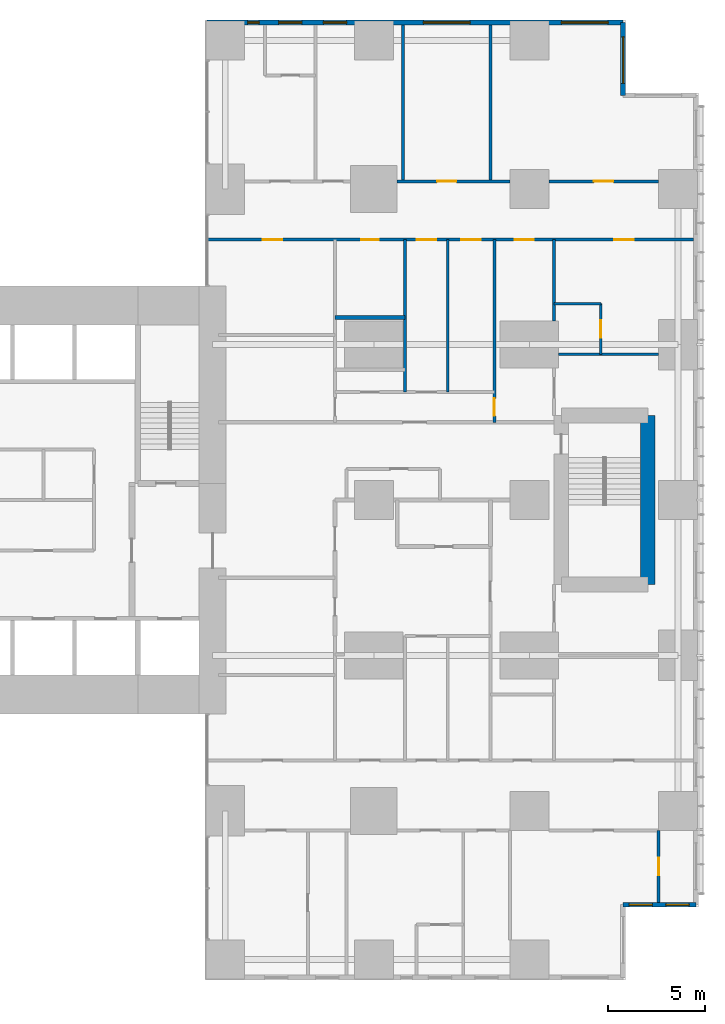
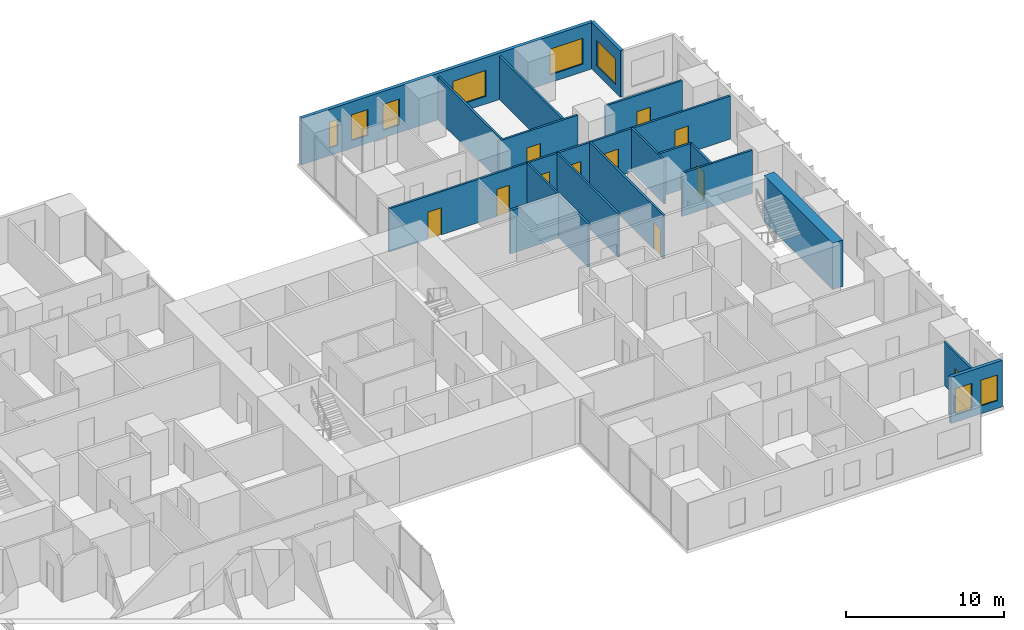
# One storey, part 18 of 20: 18 walls, 11 doors, 8 windows, 19 openings.
"""IFC4 building model written with IfcOpenShell, lengths in metres."""

from ifc_helpers import new_model, si_unit, direction, frame, frame_2d, origin, place, context, subcontext, project, spatial, rectangle, extrude, material, layer, layer_set, type_object, element, fill, save


model = new_model("IFC4")

# Units and contexts
model_context = context("Model", 3, precision=1e-05, world=origin(), true_north=direction((0.0, 1.0)))
body_context = subcontext(model_context, "Body", "Model", "MODEL_VIEW")
ifc_project = project(units=[si_unit("LENGTHUNIT", "METRE"), si_unit("AREAUNIT", "SQUARE_METRE"), si_unit("VOLUMEUNIT", "CUBIC_METRE"), si_unit("PLANEANGLEUNIT", "RADIAN"), si_unit("MASSUNIT", "GRAM", prefix="KILO")], contexts=[model_context])

# Site, building, storey
site_placement = place(None, origin())
site = spatial("IfcSite", under=ifc_project, at=site_placement, CompositionType="ELEMENT")
building_placement = place(site_placement, origin())
building = spatial("IfcBuilding", under=site, at=building_placement, Name="Cleftline Residences", CompositionType="ELEMENT")
storey_placement = place(building_placement, frame((0.0, 0.0, 76.39990234375)))
storey = spatial("IfcBuildingStorey", under=building, at=storey_placement, Name="L19", CompositionType="ELEMENT", Elevation=76.39990234375)

# Wall, openings, windows
ifc_material_1 = material(Name="Rendered reinforced concrete blockwork", Category="masonry")
ifc_layer_1 = layer(ifc_material_1, 0.25)
ifc_layer_set_1 = layer_set([ifc_layer_1], Name="EXTERNAL WALL 250")
wall_type_1 = type_object("IfcWallType", Name="EXTERNAL WALL 250", PredefinedType="SOLIDWALL", material=ifc_layer_set_1)
wall_1_placement = place(storey_placement, frame((62.824951171875, 3.175048828125, 0.0), z_axis=(0.0, 0.0, 1.0), x_axis=(1.0, 0.0, 0.0)))
wall_1 = element("IfcWall", 1, at=wall_1_placement, inside=storey, type_object=wall_type_1, Name="External wall", PredefinedType="SOLIDWALL", context=body_context, shape_type="SweptSolid", body=[
    extrude(rectangle(XDim=3.75, YDim=0.25, at=frame_2d((1.875, 0.0))), origin(), (0.0, 0.0, 1.0), 3.60009765625),
])
opening_1_placement = place(wall_1_placement, frame((0.3125, 0.0, 0.60009765625)))
opening_1 = element("IfcOpeningElement", 2, at=opening_1_placement, cuts=wall_1, Name="Opening W8", PredefinedType="OPENING", context=body_context, shape_type="SweptSolid", body=[
    extrude(rectangle(XDim=1.199951171875, YDim=2.0, at=frame_2d((0.60009765625, 1.0))), frame((0.0, 0.135009765625, 0.0), z_axis=(0.0, -1.0, 0.0), x_axis=(1.0, 0.0, 0.0)), (0.0, 0.0, 1.0), 0.27001953125),
])
opening_2_placement = place(wall_1_placement, frame((2.199951171875, 0.0, 0.60009765625)))
opening_2 = element("IfcOpeningElement", 3, at=opening_2_placement, cuts=wall_1, Name="Opening W8", PredefinedType="OPENING", context=body_context, shape_type="SweptSolid", body=[
    extrude(rectangle(XDim=1.199951171875, YDim=2.0, at=frame_2d((0.60009765625, 1.0))), frame((0.0, 0.135009765625, 0.0), z_axis=(0.0, -1.0, 0.0), x_axis=(1.0, 0.0, 0.0)), (0.0, 0.0, 1.0), 0.27001953125),
])
ifc_material_2 = material(Name="Aluminium frame, clear double glazing", Category="aluminium")
window_type_1 = type_object("IfcWindowType", Name="WINDOW 1200X2000", PartitioningType="DOUBLE_PANEL_VERTICAL", PredefinedType="WINDOW", material=ifc_material_2)
window_1_placement = place(opening_1_placement, origin())
window_1 = element("IfcWindow", 4, at=window_1_placement, inside=storey, type_object=window_type_1, Name="Window", OverallHeight=2.0, OverallWidth=1.199951171875, PartitioningType="SINGLE_PANEL", PredefinedType="WINDOW", context=body_context, shape_type="SweptSolid", body=[
    extrude(rectangle(XDim=1.199951171875, YDim=2.0, at=frame_2d((0.60009765625, 1.0))), frame((0.0, 0.030029296875, 0.0), z_axis=(0.0, -1.0, 0.0), x_axis=(1.0, 0.0, 0.0)), (0.0, 0.0, 1.0), 0.06005859375),
])
fill(opening_1, window_1)
window_2_placement = place(opening_2_placement, origin())
window_2 = element("IfcWindow", 5, at=window_2_placement, inside=storey, type_object=window_type_1, Name="Window", OverallHeight=2.0, OverallWidth=1.199951171875, PartitioningType="SINGLE_PANEL", PredefinedType="WINDOW", context=body_context, shape_type="SweptSolid", body=[
    extrude(rectangle(XDim=1.199951171875, YDim=2.0, at=frame_2d((0.60009765625, 1.0))), frame((0.0, 0.030029296875, 0.0), z_axis=(0.0, -1.0, 0.0), x_axis=(1.0, 0.0, 0.0)), (0.0, 0.0, 1.0), 0.06005859375),
])
fill(opening_2, window_2)

# Wall, opening, window
wall_2_placement = place(storey_placement, frame((62.824951171875, 44.824951171875, 0.0), z_axis=(0.0, 0.0, 1.0), x_axis=(0.0, 1.0, 0.0)))
wall_2 = element("IfcWall", 6, at=wall_2_placement, inside=storey, type_object=wall_type_1, Name="External wall", PredefinedType="SOLIDWALL", context=body_context, shape_type="SweptSolid", body=[
    extrude(rectangle(XDim=3.75, YDim=0.25, at=frame_2d((1.875, 0.0))), origin(), (0.0, 0.0, 1.0), 3.60009765625),
])
opening_3_placement = place(wall_2_placement, frame((0.612548828125, 0.0, 0.60009765625)))
opening_3 = element("IfcOpeningElement", 7, at=opening_3_placement, cuts=wall_2, Name="Opening W6", PredefinedType="OPENING", context=body_context, shape_type="SweptSolid", body=[
    extrude(rectangle(XDim=2.39990234375, YDim=2.0, at=frame_2d((1.199951171875, 1.0))), frame((0.0, 0.135009765625, 0.0), z_axis=(0.0, -1.0, 0.0), x_axis=(1.0, 0.0, 0.0)), (0.0, 0.0, 1.0), 0.27001953125),
])
ifc_material_3 = material(Name="Aluminium frame, clear double glazing", Category="aluminium")
window_type_2 = type_object("IfcWindowType", Name="WINDOW 2400X2000", PartitioningType="DOUBLE_PANEL_VERTICAL", PredefinedType="WINDOW", material=ifc_material_3)
window_3_placement = place(opening_3_placement, origin())
window_3 = element("IfcWindow", 8, at=window_3_placement, inside=storey, type_object=window_type_2, Name="Window", OverallHeight=2.0, OverallWidth=2.39990234375, PartitioningType="SINGLE_PANEL", PredefinedType="WINDOW", context=body_context, shape_type="SweptSolid", body=[
    extrude(rectangle(XDim=2.39990234375, YDim=2.0, at=frame_2d((1.199951171875, 1.0))), frame((0.0, 0.030029296875, 0.0), z_axis=(0.0, -1.0, 0.0), x_axis=(1.0, 0.0, 0.0)), (0.0, 0.0, 1.0), 0.06005859375),
])
fill(opening_3, window_3)

# Wall, openings, windows
wall_3_placement = place(storey_placement, frame((62.824951171875, 48.574951171875, 0.0), z_axis=(0.0, 0.0, 1.0), x_axis=(-1.0, 0.0, 0.0)))
wall_3 = element("IfcWall", 9, at=wall_3_placement, inside=storey, type_object=wall_type_1, Name="External wall", PredefinedType="SOLIDWALL", context=body_context, shape_type="SweptSolid", body=[
    extrude(rectangle(XDim=21.39990234375, YDim=0.25, at=frame_2d((10.699951171875, 0.0))), origin(), (0.0, 0.0, 1.0), 3.60009765625),
])
opening_4_placement = place(wall_3_placement, frame((0.77490234375, 0.0, 0.60009765625)))
opening_4 = element("IfcOpeningElement", 10, at=opening_4_placement, cuts=wall_3, Name="Opening W6", PredefinedType="OPENING", context=body_context, shape_type="SweptSolid", body=[
    extrude(rectangle(XDim=2.39990234375, YDim=2.0, at=frame_2d((1.199951171875, 1.0))), frame((0.0, 0.135009765625, 0.0), z_axis=(0.0, -1.0, 0.0), x_axis=(1.0, 0.0, 0.0)), (0.0, 0.0, 1.0), 0.27001953125),
])
opening_5_placement = place(wall_3_placement, frame((7.875, 0.0, 0.60009765625)))
opening_5 = element("IfcOpeningElement", 11, at=opening_5_placement, cuts=wall_3, Name="Opening W6", PredefinedType="OPENING", context=body_context, shape_type="SweptSolid", body=[
    extrude(rectangle(XDim=2.39990234375, YDim=2.0, at=frame_2d((1.199951171875, 1.0))), frame((0.0, 0.135009765625, 0.0), z_axis=(0.0, -1.0, 0.0), x_axis=(1.0, 0.0, 0.0)), (0.0, 0.0, 1.0), 0.27001953125),
])
opening_6_placement = place(wall_3_placement, frame((14.22509765625, 0.0, 0.60009765625)))
opening_6 = element("IfcOpeningElement", 12, at=opening_6_placement, cuts=wall_3, Name="Opening W8", PredefinedType="OPENING", context=body_context, shape_type="SweptSolid", body=[
    extrude(rectangle(XDim=1.199951171875, YDim=2.0, at=frame_2d((0.60009765625, 1.0))), frame((0.0, 0.135009765625, 0.0), z_axis=(0.0, -1.0, 0.0), x_axis=(1.0, 0.0, 0.0)), (0.0, 0.0, 1.0), 0.27001953125),
])
opening_7_placement = place(wall_3_placement, frame((16.52490234375, 0.0, 0.60009765625)))
opening_7 = element("IfcOpeningElement", 13, at=opening_7_placement, cuts=wall_3, Name="Opening W8", PredefinedType="OPENING", context=body_context, shape_type="SweptSolid", body=[
    extrude(rectangle(XDim=1.199951171875, YDim=2.0, at=frame_2d((0.60009765625, 1.0))), frame((0.0, 0.135009765625, 0.0), z_axis=(0.0, -1.0, 0.0), x_axis=(1.0, 0.0, 0.0)), (0.0, 0.0, 1.0), 0.27001953125),
])
opening_8_placement = place(wall_3_placement, frame((18.72509765625, 0.0, 0.60009765625)))
opening_8 = element("IfcOpeningElement", 14, at=opening_8_placement, cuts=wall_3, Name="Opening W7", PredefinedType="OPENING", context=body_context, shape_type="SweptSolid", body=[
    extrude(rectangle(XDim=0.60009765625, YDim=2.0, at=frame_2d((0.300048828125, 1.0))), frame((0.0, 0.135009765625, 0.0), z_axis=(0.0, -1.0, 0.0), x_axis=(1.0, 0.0, 0.0)), (0.0, 0.0, 1.0), 0.27001953125),
])
window_4_placement = place(opening_6_placement, origin())
window_4 = element("IfcWindow", 15, at=window_4_placement, inside=storey, type_object=window_type_1, Name="Window", OverallHeight=2.0, OverallWidth=1.199951171875, PartitioningType="SINGLE_PANEL", PredefinedType="WINDOW", context=body_context, shape_type="SweptSolid", body=[
    extrude(rectangle(XDim=1.199951171875, YDim=2.0, at=frame_2d((0.60009765625, 1.0))), frame((0.0, 0.030029296875, 0.0), z_axis=(0.0, -1.0, 0.0), x_axis=(1.0, 0.0, 0.0)), (0.0, 0.0, 1.0), 0.06005859375),
])
fill(opening_6, window_4)
window_5_placement = place(opening_7_placement, origin())
window_5 = element("IfcWindow", 16, at=window_5_placement, inside=storey, type_object=window_type_1, Name="Window", OverallHeight=2.0, OverallWidth=1.199951171875, PartitioningType="SINGLE_PANEL", PredefinedType="WINDOW", context=body_context, shape_type="SweptSolid", body=[
    extrude(rectangle(XDim=1.199951171875, YDim=2.0, at=frame_2d((0.60009765625, 1.0))), frame((0.0, 0.030029296875, 0.0), z_axis=(0.0, -1.0, 0.0), x_axis=(1.0, 0.0, 0.0)), (0.0, 0.0, 1.0), 0.06005859375),
])
fill(opening_7, window_5)
window_6_placement = place(opening_4_placement, origin())
window_6 = element("IfcWindow", 17, at=window_6_placement, inside=storey, type_object=window_type_2, Name="Window", OverallHeight=2.0, OverallWidth=2.39990234375, PartitioningType="SINGLE_PANEL", PredefinedType="WINDOW", context=body_context, shape_type="SweptSolid", body=[
    extrude(rectangle(XDim=2.39990234375, YDim=2.0, at=frame_2d((1.199951171875, 1.0))), frame((0.0, 0.030029296875, 0.0), z_axis=(0.0, -1.0, 0.0), x_axis=(1.0, 0.0, 0.0)), (0.0, 0.0, 1.0), 0.06005859375),
])
fill(opening_4, window_6)
window_7_placement = place(opening_5_placement, origin())
window_7 = element("IfcWindow", 18, at=window_7_placement, inside=storey, type_object=window_type_2, Name="Window", OverallHeight=2.0, OverallWidth=2.39990234375, PartitioningType="SINGLE_PANEL", PredefinedType="WINDOW", context=body_context, shape_type="SweptSolid", body=[
    extrude(rectangle(XDim=2.39990234375, YDim=2.0, at=frame_2d((1.199951171875, 1.0))), frame((0.0, 0.030029296875, 0.0), z_axis=(0.0, -1.0, 0.0), x_axis=(1.0, 0.0, 0.0)), (0.0, 0.0, 1.0), 0.06005859375),
])
fill(opening_5, window_7)
ifc_material_4 = material(Name="Aluminium frame, clear double glazing", Category="aluminium")
window_type_3 = type_object("IfcWindowType", Name="WINDOW 600X2000", PartitioningType="DOUBLE_PANEL_VERTICAL", PredefinedType="WINDOW", material=ifc_material_4)
window_8_placement = place(opening_8_placement, origin())
window_8 = element("IfcWindow", 19, at=window_8_placement, inside=storey, type_object=window_type_3, Name="Window", OverallHeight=2.0, OverallWidth=0.60009765625, PartitioningType="SINGLE_PANEL", PredefinedType="WINDOW", context=body_context, shape_type="SweptSolid", body=[
    extrude(rectangle(XDim=0.60009765625, YDim=2.0, at=frame_2d((0.300048828125, 1.0))), frame((0.0, 0.030029296875, 0.0), z_axis=(0.0, -1.0, 0.0), x_axis=(1.0, 0.0, 0.0)), (0.0, 0.0, 1.0), 0.06005859375),
])
fill(opening_8, window_8)

# Walls
ifc_material_5 = material(Name="Concrete blockwork, fire rated", Category="masonry")
ifc_layer_2 = layer(ifc_material_5, 0.199951171875)
ifc_layer_set_2 = layer_set([ifc_layer_2], Name="FIRE WALL 200")
wall_type_2 = type_object("IfcWallType", Name="FIRE WALL 200", PredefinedType="PARTITIONING", material=ifc_layer_set_2)
wall_4_placement = place(storey_placement, frame((48.0, 33.39990234375, 0.0), z_axis=(0.0, 0.0, 1.0), x_axis=(1.0, 0.0, 0.0)))
element("IfcWall", 20, at=wall_4_placement, inside=storey, type_object=wall_type_2, Name="Fire separating wall", PredefinedType="PARTITIONING", context=body_context, shape_type="SweptSolid", body=[
    extrude(rectangle(XDim=3.60009765625, YDim=0.199951171875, at=frame_2d((1.800048828125, 0.0))), origin(), (0.0, 0.0, 1.0), 3.35009765625),
])
ifc_material_6 = material(Name="Gypsum board on steel studs", Category="steel")
ifc_layer_3 = layer(ifc_material_6, 0.14990234375)
ifc_layer_set_3 = layer_set([ifc_layer_3], Name="PARTITION 150")
wall_type_3 = type_object("IfcWallType", Name="PARTITION 150", PredefinedType="PARTITIONING", material=ifc_layer_set_3)
wall_5_placement = place(storey_placement, frame((59.5, 31.5, 0.0), z_axis=(0.0, 0.0, 1.0), x_axis=(1.0, 0.0, 0.0)))
element("IfcWall", 21, at=wall_5_placement, inside=storey, type_object=wall_type_3, Name="Partition", PredefinedType="PARTITIONING", context=body_context, shape_type="SweptSolid", body=[
    extrude(rectangle(XDim=5.14990234375, YDim=0.14990234375, at=frame_2d((2.574951171875, 0.0))), origin(), (0.0, 0.0, 1.0), 3.35009765625),
])
wall_6_placement = place(storey_placement, frame((59.27490234375, 34.10009765625, 0.0), z_axis=(0.0, 0.0, 1.0), x_axis=(1.0, 0.0, 0.0)))
element("IfcWall", 22, at=wall_6_placement, inside=storey, type_object=wall_type_3, Name="Partition", PredefinedType="PARTITIONING", context=body_context, shape_type="SweptSolid", body=[
    extrude(rectangle(XDim=2.400146484375, YDim=0.14990234375, at=frame_2d((1.2001953125, 0.0))), origin(), (0.0, 0.0, 1.0), 3.35009765625),
])

# Wall, openings, doors
wall_7_placement = place(storey_placement, frame((41.43896484375, 37.39990234375, 0.0), z_axis=(0.0, 0.0, 1.0), x_axis=(1.0, 0.0, 0.0)))
wall_7 = element("IfcWall", 23, at=wall_7_placement, inside=storey, type_object=wall_type_3, Name="Partition", PredefinedType="PARTITIONING", context=body_context, shape_type="SweptSolid", body=[
    extrude(rectangle(XDim=25.010986328125, YDim=0.14990234375, at=frame_2d((12.50537109375, 0.0))), origin(), (0.0, 0.0, 1.0), 3.35009765625),
])
opening_9_placement = place(wall_7_placement, frame((10.760986328125, 0.0, 0.0)))
opening_9 = element("IfcOpeningElement", 24, at=opening_9_placement, cuts=wall_7, Name="Opening D2", PredefinedType="OPENING", context=body_context, shape_type="SweptSolid", body=[
    extrude(rectangle(XDim=1.0, YDim=2.10009765625, at=frame_2d((0.5, 1.050048828125))), frame((0.0, 0.0849609375, 0.0), z_axis=(0.0, -1.0, 0.0), x_axis=(1.0, 0.0, 0.0)), (0.0, 0.0, 1.0), 0.169921875),
])
opening_10_placement = place(wall_7_placement, frame((20.923583984375, 0.0, 0.0)))
opening_10 = element("IfcOpeningElement", 25, at=opening_10_placement, cuts=wall_7, Name="Opening D2", PredefinedType="OPENING", context=body_context, shape_type="SweptSolid", body=[
    extrude(rectangle(XDim=1.0, YDim=2.10009765625, at=frame_2d((0.5, 1.050048828125))), frame((0.0, 0.0849609375, 0.0), z_axis=(0.0, -1.0, 0.0), x_axis=(1.0, 0.0, 0.0)), (0.0, 0.0, 1.0), 0.169921875),
])
opening_11_placement = place(wall_7_placement, frame((15.798583984375, 0.0, 0.0)))
opening_11 = element("IfcOpeningElement", 26, at=opening_11_placement, cuts=wall_7, Name="Opening D2", PredefinedType="OPENING", context=body_context, shape_type="SweptSolid", body=[
    extrude(rectangle(XDim=1.0, YDim=2.10009765625, at=frame_2d((0.5, 1.050048828125))), frame((0.0, 0.0849609375, 0.0), z_axis=(0.0, -1.0, 0.0), x_axis=(1.0, 0.0, 0.0)), (0.0, 0.0, 1.0), 0.169921875),
])
opening_12_placement = place(wall_7_placement, frame((13.06103515625, 0.0, 0.0)))
opening_12 = element("IfcOpeningElement", 27, at=opening_12_placement, cuts=wall_7, Name="Opening D2", PredefinedType="OPENING", context=body_context, shape_type="SweptSolid", body=[
    extrude(rectangle(XDim=1.0, YDim=2.10009765625, at=frame_2d((0.5, 1.050048828125))), frame((0.0, 0.0849609375, 0.0), z_axis=(0.0, -1.0, 0.0), x_axis=(1.0, 0.0, 0.0)), (0.0, 0.0, 1.0), 0.169921875),
])
opening_13_placement = place(wall_7_placement, frame((7.910888671875, 0.0, 0.0)))
opening_13 = element("IfcOpeningElement", 28, at=opening_13_placement, cuts=wall_7, Name="Opening D1", PredefinedType="OPENING", context=body_context, shape_type="SweptSolid", body=[
    extrude(rectangle(XDim=0.89990234375, YDim=2.10009765625, at=frame_2d((0.449951171875, 1.050048828125))), frame((0.0, 0.0849609375, 0.0), z_axis=(0.0, -1.0, 0.0), x_axis=(1.0, 0.0, 0.0)), (0.0, 0.0, 1.0), 0.169921875),
])
opening_14_placement = place(wall_7_placement, frame((2.8359375, 0.0, 0.0)))
opening_14 = element("IfcOpeningElement", 29, at=opening_14_placement, cuts=wall_7, Name="Opening D2", PredefinedType="OPENING", context=body_context, shape_type="SweptSolid", body=[
    extrude(rectangle(XDim=1.0, YDim=2.10009765625, at=frame_2d((0.5, 1.050048828125))), frame((0.0, 0.0849609375, 0.0), z_axis=(0.0, -1.0, 0.0), x_axis=(1.0, 0.0, 0.0)), (0.0, 0.0, 1.0), 0.169921875),
])
ifc_material_7 = material(Name="Timber veneer on solid core", Category="wood")
door_type_1 = type_object("IfcDoorType", Name="DOOR 1000X2100", OperationType="SINGLE_SWING_LEFT", PredefinedType="DOOR", material=ifc_material_7)
door_1_placement = place(opening_9_placement, origin())
door_1 = element("IfcDoor", 30, at=door_1_placement, inside=storey, type_object=door_type_1, Name="Door to residence hall", OperationType="SINGLE_SWING_RIGHT", OverallHeight=2.10009765625, OverallWidth=1.0, PredefinedType="DOOR", context=body_context, shape_type="SweptSolid", body=[
    extrude(rectangle(XDim=1.0, YDim=2.10009765625, at=frame_2d((0.5, 1.050048828125))), frame((0.0, 0.02490234375, 0.0), z_axis=(0.0, -1.0, 0.0), x_axis=(1.0, 0.0, 0.0)), (0.0, 0.0, 1.0), 0.050048828125),
])
fill(opening_9, door_1)
door_2_placement = place(opening_10_placement, origin())
door_2 = element("IfcDoor", 31, at=door_2_placement, inside=storey, type_object=door_type_1, Name="Door to master bedroom", OperationType="SINGLE_SWING_LEFT", OverallHeight=2.10009765625, OverallWidth=1.0, PredefinedType="DOOR", context=body_context, shape_type="SweptSolid", body=[
    extrude(rectangle(XDim=1.0, YDim=2.10009765625, at=frame_2d((0.5, 1.050048828125))), frame((0.0, 0.02490234375, 0.0), z_axis=(0.0, -1.0, 0.0), x_axis=(1.0, 0.0, 0.0)), (0.0, 0.0, 1.0), 0.050048828125),
])
fill(opening_10, door_2)
door_3_placement = place(opening_11_placement, origin())
door_3 = element("IfcDoor", 32, at=door_3_placement, inside=storey, type_object=door_type_1, Name="Door to wet kitchen", OperationType="SINGLE_SWING_LEFT", OverallHeight=2.10009765625, OverallWidth=1.0, PredefinedType="DOOR", context=body_context, shape_type="SweptSolid", body=[
    extrude(rectangle(XDim=1.0, YDim=2.10009765625, at=frame_2d((0.5, 1.050048828125))), frame((0.0, 0.02490234375, 0.0), z_axis=(0.0, -1.0, 0.0), x_axis=(1.0, 0.0, 0.0)), (0.0, 0.0, 1.0), 0.050048828125),
])
fill(opening_11, door_3)
door_4_placement = place(opening_12_placement, origin())
door_4 = element("IfcDoor", 33, at=door_4_placement, inside=storey, type_object=door_type_1, Name="Door to media room", OperationType="SINGLE_SWING_LEFT", OverallHeight=2.10009765625, OverallWidth=1.0, PredefinedType="DOOR", context=body_context, shape_type="SweptSolid", body=[
    extrude(rectangle(XDim=1.0, YDim=2.10009765625, at=frame_2d((0.5, 1.050048828125))), frame((0.0, 0.02490234375, 0.0), z_axis=(0.0, -1.0, 0.0), x_axis=(1.0, 0.0, 0.0)), (0.0, 0.0, 1.0), 0.050048828125),
])
fill(opening_12, door_4)
door_5_placement = place(opening_14_placement, origin())
door_5 = element("IfcDoor", 34, at=door_5_placement, inside=storey, type_object=door_type_1, Name="Door to study", OperationType="SINGLE_SWING_RIGHT", OverallHeight=2.10009765625, OverallWidth=1.0, PredefinedType="DOOR", context=body_context, shape_type="SweptSolid", body=[
    extrude(rectangle(XDim=1.0, YDim=2.10009765625, at=frame_2d((0.5, 1.050048828125))), frame((0.0, 0.02490234375, 0.0), z_axis=(0.0, -1.0, 0.0), x_axis=(1.0, 0.0, 0.0)), (0.0, 0.0, 1.0), 0.050048828125),
])
fill(opening_14, door_5)
ifc_material_8 = material(Name="Timber veneer on solid core", Category="wood")
door_type_2 = type_object("IfcDoorType", Name="DOOR 900X2100", OperationType="SINGLE_SWING_LEFT", PredefinedType="DOOR", material=ifc_material_8)
door_6_placement = place(opening_13_placement, origin())
door_6 = element("IfcDoor", 35, at=door_6_placement, inside=storey, type_object=door_type_2, Name="Door to bedroom 2 bathroom", OperationType="SINGLE_SWING_RIGHT", OverallHeight=2.10009765625, OverallWidth=0.89990234375, PredefinedType="DOOR", context=body_context, shape_type="SweptSolid", body=[
    extrude(rectangle(XDim=0.89990234375, YDim=2.10009765625, at=frame_2d((0.449951171875, 1.050048828125))), frame((0.0, 0.02490234375, 0.0), z_axis=(0.0, -1.0, 0.0), x_axis=(1.0, 0.0, 0.0)), (0.0, 0.0, 1.0), 0.050048828125),
])
fill(opening_13, door_6)

# Wall, opening, door
wall_8_placement = place(storey_placement, frame((51.199951171875, 40.39990234375, 0.0), z_axis=(0.0, 0.0, 1.0), x_axis=(1.0, 0.0, 0.0)))
wall_8 = element("IfcWall", 36, at=wall_8_placement, inside=storey, type_object=wall_type_3, Name="Partition", PredefinedType="PARTITIONING", context=body_context, shape_type="SweptSolid", body=[
    extrude(rectangle(XDim=5.800048828125, YDim=0.14990234375, at=frame_2d((2.89990234375, 0.0))), origin(), (0.0, 0.0, 1.0), 3.35009765625),
])
opening_15_placement = place(wall_8_placement, frame((2.050048828125, 0.0, 0.0)))
opening_15 = element("IfcOpeningElement", 37, at=opening_15_placement, cuts=wall_8, Name="Opening D2", PredefinedType="OPENING", context=body_context, shape_type="SweptSolid", body=[
    extrude(rectangle(XDim=1.0, YDim=2.10009765625, at=frame_2d((0.5, 1.050048828125))), frame((0.0, 0.0849609375, 0.0), z_axis=(0.0, -1.0, 0.0), x_axis=(1.0, 0.0, 0.0)), (0.0, 0.0, 1.0), 0.169921875),
])
door_7_placement = place(opening_15_placement, origin())
door_7 = element("IfcDoor", 38, at=door_7_placement, inside=storey, type_object=door_type_1, Name="Door to dining room", OperationType="SINGLE_SWING_RIGHT", OverallHeight=2.10009765625, OverallWidth=1.0, PredefinedType="DOOR", context=body_context, shape_type="SweptSolid", body=[
    extrude(rectangle(XDim=1.0, YDim=2.10009765625, at=frame_2d((0.5, 1.050048828125))), frame((0.0, 0.02490234375, 0.0), z_axis=(0.0, -1.0, 0.0), x_axis=(1.0, 0.0, 0.0)), (0.0, 0.0, 1.0), 0.050048828125),
])
fill(opening_15, door_7)

wall_9_placement = place(storey_placement, frame((59.0, 40.39990234375, 0.0), z_axis=(0.0, 0.0, 1.0), x_axis=(1.0, 0.0, 0.0)))
wall_9 = element("IfcWall", 39, at=wall_9_placement, inside=storey, type_object=wall_type_3, Name="Partition", PredefinedType="PARTITIONING", context=body_context, shape_type="SweptSolid", body=[
    extrude(rectangle(XDim=5.64990234375, YDim=0.14990234375, at=frame_2d((2.824951171875, 0.0))), origin(), (0.0, 0.0, 1.0), 3.35009765625),
])
opening_16_placement = place(wall_9_placement, frame((2.324951171875, 0.0, 0.0)))
opening_16 = element("IfcOpeningElement", 40, at=opening_16_placement, cuts=wall_9, Name="Opening D2", PredefinedType="OPENING", context=body_context, shape_type="SweptSolid", body=[
    extrude(rectangle(XDim=1.0, YDim=2.10009765625, at=frame_2d((0.5, 1.050048828125))), frame((0.0, 0.0849609375, 0.0), z_axis=(0.0, -1.0, 0.0), x_axis=(1.0, 0.0, 0.0)), (0.0, 0.0, 1.0), 0.169921875),
])
door_8_placement = place(opening_16_placement, origin())
door_8 = element("IfcDoor", 41, at=door_8_placement, inside=storey, type_object=door_type_1, Name="Door to sea-view lounge", OperationType="SINGLE_SWING_LEFT", OverallHeight=2.10009765625, OverallWidth=1.0, PredefinedType="DOOR", context=body_context, shape_type="SweptSolid", body=[
    extrude(rectangle(XDim=1.0, YDim=2.10009765625, at=frame_2d((0.5, 1.050048828125))), frame((0.0, 0.02490234375, 0.0), z_axis=(0.0, -1.0, 0.0), x_axis=(1.0, 0.0, 0.0)), (0.0, 0.0, 1.0), 0.050048828125),
])
fill(opening_16, door_8)

# Walls
wall_10_placement = place(storey_placement, frame((51.5, 40.39990234375, 0.0), z_axis=(0.0, 0.0, 1.0), x_axis=(0.0, 1.0, 0.0)))
element("IfcWall", 42, at=wall_10_placement, inside=storey, type_object=wall_type_3, Name="Partition", PredefinedType="PARTITIONING", context=body_context, shape_type="SweptSolid", body=[
    extrude(rectangle(XDim=8.050048828125, YDim=0.14990234375, at=frame_2d((4.02490234375, 0.0))), origin(), (0.0, 0.0, 1.0), 3.35009765625),
])
for number, where, z_axis, x_axis, name in (
    (43, (51.60009765625, 29.550048828125, 0.0), (0.0, 0.0, 1.0), (0.0, 1.0, 0.0), "Partition"),
    (44, (53.800048828125, 29.550048828125, 0.0), (0.0, 0.0, 1.0), (0.0, 1.0, 0.0), "Partition"),
):
    element("IfcWall", number, at=place(storey_placement, frame(where, z_axis=z_axis, x_axis=x_axis)), inside=storey, type_object=wall_type_3, Name=name, PredefinedType="PARTITIONING", context=body_context, shape_type="SweptSolid", body=[
        extrude(rectangle(XDim=7.849853515625, YDim=0.14990234375, at=frame_2d((3.9248046875, 0.0))), origin(), (0.0, 0.0, 1.0), 3.35009765625),
    ])
wall_11_placement = place(storey_placement, frame((56.0, 40.39990234375, 0.0), z_axis=(0.0, 0.0, 1.0), x_axis=(0.0, 1.0, 0.0)))
element("IfcWall", 45, at=wall_11_placement, inside=storey, type_object=wall_type_3, Name="Partition", PredefinedType="PARTITIONING", context=body_context, shape_type="SweptSolid", body=[
    extrude(rectangle(XDim=8.050048828125, YDim=0.14990234375, at=frame_2d((4.02490234375, 0.0))), origin(), (0.0, 0.0, 1.0), 3.35009765625),
])

# Wall, opening, door
wall_12_placement = place(storey_placement, frame((56.199951171875, 28.0, 0.0), z_axis=(0.0, 0.0, 1.0), x_axis=(0.0, 1.0, 0.0)))
wall_12 = element("IfcWall", 46, at=wall_12_placement, inside=storey, type_object=wall_type_3, Name="Partition", PredefinedType="PARTITIONING", context=body_context, shape_type="SweptSolid", body=[
    extrude(rectangle(XDim=9.39990234375, YDim=0.14990234375, at=frame_2d((4.699951171875, 0.0))), origin(), (0.0, 0.0, 1.0), 3.35009765625),
])
opening_17_placement = place(wall_12_placement, frame((0.324951171875, 0.0, 0.0)))
opening_17 = element("IfcOpeningElement", 47, at=opening_17_placement, cuts=wall_12, Name="Opening D1F30", PredefinedType="OPENING", context=body_context, shape_type="SweptSolid", body=[
    extrude(rectangle(XDim=0.89990234375, YDim=2.10009765625, at=frame_2d((0.449951171875, 1.050048828125))), frame((0.0, 0.0849609375, 0.0), z_axis=(0.0, -1.0, 0.0), x_axis=(1.0, 0.0, 0.0)), (0.0, 0.0, 1.0), 0.169921875),
])
ifc_material_9 = material(Name="Timber veneer on solid core", Category="wood")
door_type_3 = type_object("IfcDoorType", Name="DOOR 900X2100 EI 30", OperationType="SINGLE_SWING_LEFT", PredefinedType="DOOR", material=ifc_material_9)
door_9_placement = place(opening_17_placement, origin())
door_9 = element("IfcDoor", 48, at=door_9_placement, inside=storey, type_object=door_type_3, Name="Door to residence lobby", OperationType="SINGLE_SWING_RIGHT", OverallHeight=2.10009765625, OverallWidth=0.89990234375, PredefinedType="DOOR", context=body_context, shape_type="SweptSolid", body=[
    extrude(rectangle(XDim=0.89990234375, YDim=2.10009765625, at=frame_2d((0.449951171875, 1.050048828125))), frame((0.0, 0.02490234375, 0.0), z_axis=(0.0, -1.0, 0.0), x_axis=(1.0, 0.0, 0.0)), (0.0, 0.0, 1.0), 0.050048828125),
])
fill(opening_17, door_9)

# Wall
wall_13_placement = place(storey_placement, frame((59.27490234375, 33.199951171875, 0.0), z_axis=(0.0, 0.0, 1.0), x_axis=(0.0, 1.0, 0.0)))
element("IfcWall", 49, at=wall_13_placement, inside=storey, type_object=wall_type_3, Name="Partition", PredefinedType="PARTITIONING", context=body_context, shape_type="SweptSolid", body=[
    extrude(rectangle(XDim=4.199951171875, YDim=0.14990234375, at=frame_2d((2.10009765625, 0.0))), origin(), (0.0, 0.0, 1.0), 3.35009765625),
])

# Wall, opening, door
wall_14_placement = place(storey_placement, frame((61.675048828125, 31.5, 0.0), z_axis=(0.0, 0.0, 1.0), x_axis=(0.0, 1.0, 0.0)))
wall_14 = element("IfcWall", 50, at=wall_14_placement, inside=storey, type_object=wall_type_3, Name="Partition", PredefinedType="PARTITIONING", context=body_context, shape_type="SweptSolid", body=[
    extrude(rectangle(XDim=2.60009765625, YDim=0.14990234375, at=frame_2d((1.300048828125, 0.0))), origin(), (0.0, 0.0, 1.0), 3.35009765625),
])
opening_18_placement = place(wall_14_placement, frame((0.85009765625, 0.0, 0.0)))
opening_18 = element("IfcOpeningElement", 51, at=opening_18_placement, cuts=wall_14, Name="Opening D1", PredefinedType="OPENING", context=body_context, shape_type="SweptSolid", body=[
    extrude(rectangle(XDim=0.89990234375, YDim=2.10009765625, at=frame_2d((0.449951171875, 1.050048828125))), frame((0.0, 0.0849609375, 0.0), z_axis=(0.0, -1.0, 0.0), x_axis=(1.0, 0.0, 0.0)), (0.0, 0.0, 1.0), 0.169921875),
])
door_10_placement = place(opening_18_placement, origin())
door_10 = element("IfcDoor", 52, at=door_10_placement, inside=storey, type_object=door_type_2, Name="Door to master bathroom", OperationType="SINGLE_SWING_LEFT", OverallHeight=2.10009765625, OverallWidth=0.89990234375, PredefinedType="DOOR", context=body_context, shape_type="SweptSolid", body=[
    extrude(rectangle(XDim=0.89990234375, YDim=2.10009765625, at=frame_2d((0.449951171875, 1.050048828125))), frame((0.0, 0.02490234375, 0.0), z_axis=(0.0, -1.0, 0.0), x_axis=(1.0, 0.0, 0.0)), (0.0, 0.0, 1.0), 0.050048828125),
])
fill(opening_18, door_10)

wall_15_placement = place(storey_placement, frame((64.64990234375, 3.300048828125, 0.0), z_axis=(0.0, 0.0, 1.0), x_axis=(0.0, 1.0, 0.0)))
wall_15 = element("IfcWall", 53, at=wall_15_placement, inside=storey, type_object=wall_type_3, Name="Partition", PredefinedType="PARTITIONING", context=body_context, shape_type="SweptSolid", body=[
    extrude(rectangle(XDim=3.699951171875, YDim=0.14990234375, at=frame_2d((1.85009765625, 0.0))), origin(), (0.0, 0.0, 1.0), 3.35009765625),
])
opening_19_placement = place(wall_15_placement, frame((1.39990234375, 0.0, 0.0)))
opening_19 = element("IfcOpeningElement", 54, at=opening_19_placement, cuts=wall_15, Name="Opening D1", PredefinedType="OPENING", context=body_context, shape_type="SweptSolid", body=[
    extrude(rectangle(XDim=0.89990234375, YDim=2.10009765625, at=frame_2d((0.449951171875, 1.050048828125))), frame((0.0, 0.0849609375, 0.0), z_axis=(0.0, -1.0, 0.0), x_axis=(1.0, 0.0, 0.0)), (0.0, 0.0, 1.0), 0.169921875),
])
door_11_placement = place(opening_19_placement, origin())
door_11 = element("IfcDoor", 55, at=door_11_placement, inside=storey, type_object=door_type_2, Name="Door to walk-in wardrobe", OperationType="SINGLE_SWING_LEFT", OverallHeight=2.10009765625, OverallWidth=0.89990234375, PredefinedType="DOOR", context=body_context, shape_type="SweptSolid", body=[
    extrude(rectangle(XDim=0.89990234375, YDim=2.10009765625, at=frame_2d((0.449951171875, 1.050048828125))), frame((0.0, 0.02490234375, 0.0), z_axis=(0.0, -1.0, 0.0), x_axis=(1.0, 0.0, 0.0)), (0.0, 0.0, 1.0), 0.050048828125),
])
fill(opening_19, door_11)

# Wall
ifc_material_10 = material(Name="Concrete B70", Category="concrete")
ifc_layer_4 = layer(ifc_material_10, 0.75)
ifc_layer_set_4 = layer_set([ifc_layer_4], Name="SHEAR WALL 750")
wall_type_4 = type_object("IfcWallType", Name="SHEAR WALL 750", PredefinedType="SHEAR", material=ifc_layer_set_4)
wall_16_placement = place(storey_placement, frame((64.10009765625, 19.64990234375, 0.0), z_axis=(0.0, 0.0, 1.0), x_axis=(0.0, 1.0, 0.0)))
element("IfcWall", 56, at=wall_16_placement, inside=storey, type_object=wall_type_4, Name="Wing shear wall", PredefinedType="SHEAR", context=body_context, shape_type="SweptSolid", body=[
    extrude(rectangle(XDim=8.7001953125, YDim=0.75, at=frame_2d((4.35009765625, 0.0))), origin(), (0.0, 0.0, 1.0), 3.60009765625),
])

save(model, "model.ifc")
